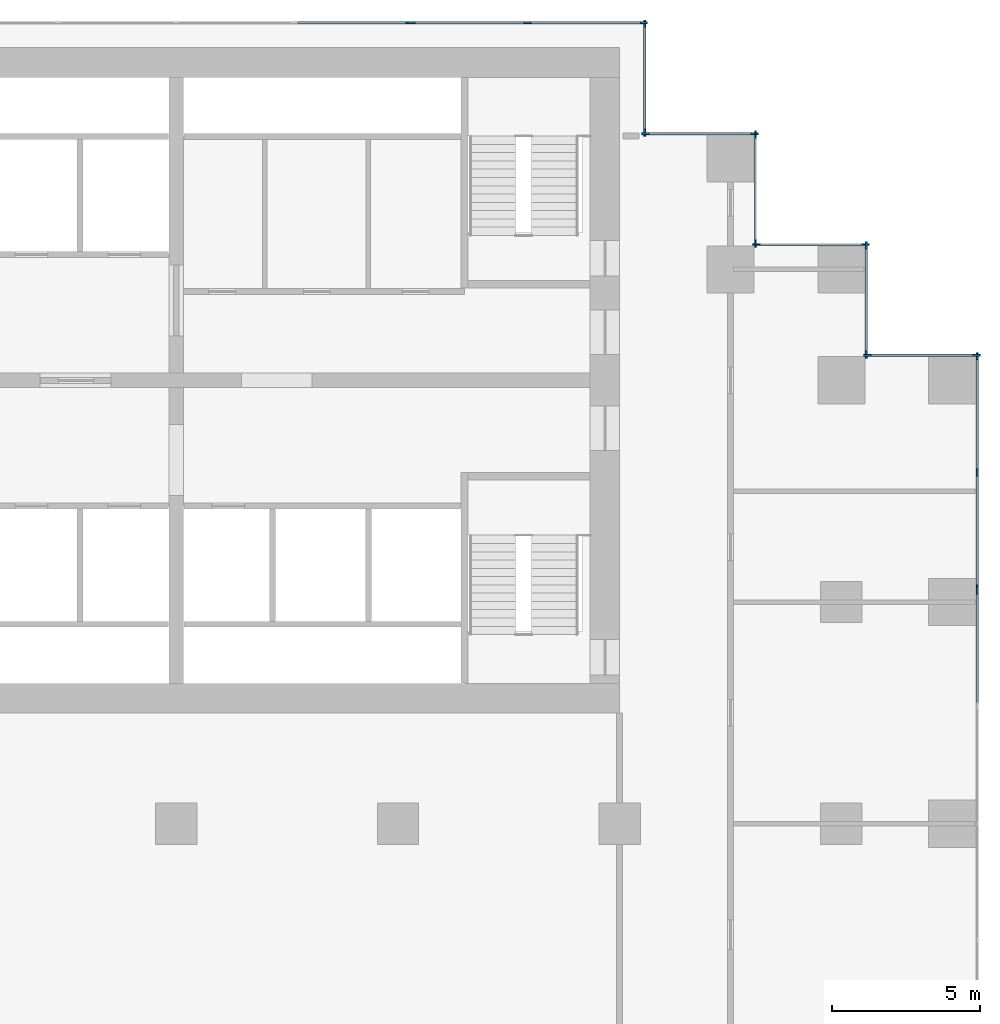
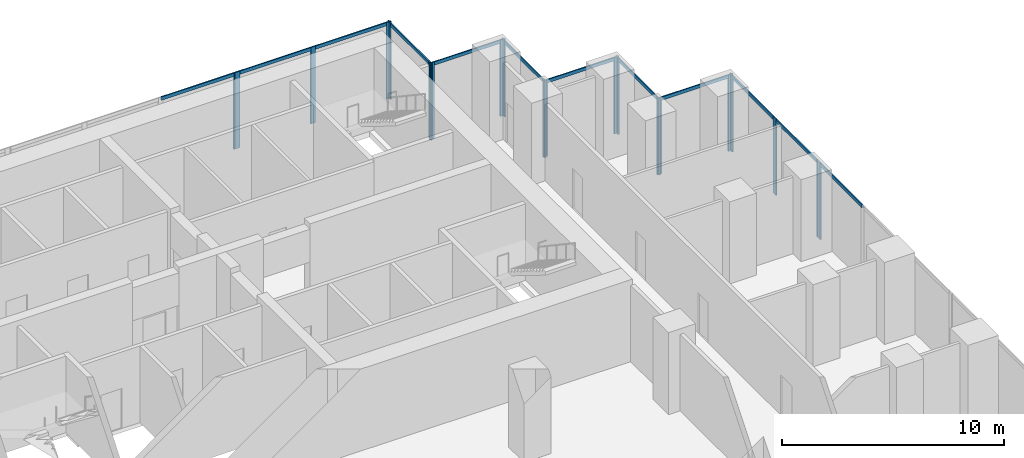
# One storey, part 5 of 10: 32 members, 10 elements without a shape of their own.
"""IFC4 building model written with IfcOpenShell, lengths in metres."""

from ifc_helpers import new_model, si_unit, direction, frame, origin, origin_2d, place, context, subcontext, project, spatial, rectangle, extrude, material, material_profile, profile_set, type_object, element, aggregate, save


model = new_model("IFC4")

# Units and contexts
model_context = context("Model", 3, precision=1e-05, world=origin(), true_north=direction((0.0, 1.0)))
body_context = subcontext(model_context, "Body", "Model", "MODEL_VIEW")
ifc_project = project(units=[si_unit("LENGTHUNIT", "METRE"), si_unit("AREAUNIT", "SQUARE_METRE"), si_unit("VOLUMEUNIT", "CUBIC_METRE"), si_unit("PLANEANGLEUNIT", "RADIAN"), si_unit("MASSUNIT", "GRAM", prefix="KILO")], contexts=[model_context])

# Site, building, storey
site_placement = place(None, origin())
site = spatial("IfcSite", under=ifc_project, at=site_placement, CompositionType="ELEMENT")
building_placement = place(site_placement, origin())
building = spatial("IfcBuilding", under=site, at=building_placement, Name="Pilkhan Gate Tower", CompositionType="ELEMENT")
storey_placement = place(building_placement, frame((0.0, 0.0, 35.0)))
storey = spatial("IfcBuildingStorey", under=building, at=storey_placement, Name="L05", CompositionType="ELEMENT", Elevation=35.0)

# Curtain wall, member
ifc_material_1 = material(Name="Pale anodised aluminium, clear low-iron double glazing", Category="aluminium")
curtain_wall_type = type_object("IfcCurtainWallType", Name="Hotel unitised curtain wall CW-H", PredefinedType="USERDEFINED", material=ifc_material_1)
curtain_wall_1_placement = place(storey_placement, origin())
curtain_wall_1 = element("IfcCurtainWall", 1, at=curtain_wall_1_placement, inside=storey, type_object=curtain_wall_type, Name="Hotel unitised curtain wall CW-H L05 E", ObjectType="UNITISED CURTAIN WALL", PredefinedType="USERDEFINED")
ifc_material_2 = material(Name="Pale anodised aluminium", Category="aluminium")
ifc_material_profile_1 = material_profile(ifc_material_2, rectangle(XDim=0.06494140625, YDim=0.25, at=origin_2d()), Name="Mullion 250x65")
ifc_profile_set_1 = profile_set([ifc_material_profile_1], Name="Pale anodised aluminium")
member_type_1 = type_object("IfcMemberType", Name="Mullion CW-H 250x65", PredefinedType="MULLION", material=ifc_profile_set_1)
member_1_placement = place(storey_placement, frame((102.094970703125, 75.389892578125, 0.0), z_axis=(0.0, 0.0, 1.0), x_axis=(-1.0, 0.0, 0.0)))
member_1 = element("IfcMember", 2, at=member_1_placement, type_object=member_type_1, Name="CW-H mullion 4", PredefinedType="MULLION", context=body_context, shape_type="SweptSolid", body=[
    extrude(rectangle(XDim=0.06494140625, YDim=0.25, at=origin_2d()), origin(), (0.0, 0.0, 1.0), 4.199951171875),
])

# Curtain wall, members
curtain_wall_2_placement = place(storey_placement, origin())
curtain_wall_2 = element("IfcCurtainWall", 3, at=curtain_wall_2_placement, inside=storey, type_object=curtain_wall_type, Name="Hotel unitised curtain wall CW-H L05 E", ObjectType="UNITISED CURTAIN WALL", PredefinedType="USERDEFINED")
member_2_placement = place(storey_placement, frame((102.094970703125, 75.455078125, 0.0), z_axis=(0.0, 0.0, 1.0), x_axis=(-1.0, 0.0, 0.0)))
member_2 = element("IfcMember", 4, at=member_2_placement, type_object=member_type_1, Name="CW-H mullion 1", PredefinedType="MULLION", context=body_context, shape_type="SweptSolid", body=[
    extrude(rectangle(XDim=0.06494140625, YDim=0.25, at=origin_2d()), origin(), (0.0, 0.0, 1.0), 4.199951171875),
])
member_3_placement = place(storey_placement, frame((102.094970703125, 79.3837890625, 0.0), z_axis=(0.0, 0.0, 1.0), x_axis=(-1.0, 0.0, 0.0)))
member_3 = element("IfcMember", 5, at=member_3_placement, type_object=member_type_1, Name="CW-H mullion 2", PredefinedType="MULLION", context=body_context, shape_type="SweptSolid", body=[
    extrude(rectangle(XDim=0.06494140625, YDim=0.25, at=origin_2d()), origin(), (0.0, 0.0, 1.0), 4.199951171875),
])
member_4_placement = place(storey_placement, frame((102.094970703125, 83.3125, 0.0), z_axis=(0.0, 0.0, 1.0), x_axis=(-1.0, 0.0, 0.0)))
member_4 = element("IfcMember", 6, at=member_4_placement, type_object=member_type_1, Name="CW-H mullion 3", PredefinedType="MULLION", context=body_context, shape_type="SweptSolid", body=[
    extrude(rectangle(XDim=0.06494140625, YDim=0.25, at=origin_2d()), origin(), (0.0, 0.0, 1.0), 4.199951171875),
])

curtain_wall_3_placement = place(storey_placement, origin())
curtain_wall_3 = element("IfcCurtainWall", 7, at=curtain_wall_3_placement, inside=storey, type_object=curtain_wall_type, Name="Hotel unitised curtain wall CW-H L05 N", ObjectType="UNITISED CURTAIN WALL", PredefinedType="USERDEFINED")
member_5_placement = place(storey_placement, frame((98.37744140625, 83.344970703125, 0.0), z_axis=(0.0, 0.0, 1.0), x_axis=(0.0, 1.0, 0.0)))
member_5 = element("IfcMember", 8, at=member_5_placement, type_object=member_type_1, Name="CW-H mullion 1", PredefinedType="MULLION", context=body_context, shape_type="SweptSolid", body=[
    extrude(rectangle(XDim=0.06494140625, YDim=0.25, at=origin_2d()), origin(), (0.0, 0.0, 1.0), 4.199951171875),
])
member_6_placement = place(storey_placement, frame((102.0625, 83.344970703125, 0.0), z_axis=(0.0, 0.0, 1.0), x_axis=(0.0, 1.0, 0.0)))
member_6 = element("IfcMember", 9, at=member_6_placement, type_object=member_type_1, Name="CW-H mullion 2", PredefinedType="MULLION", context=body_context, shape_type="SweptSolid", body=[
    extrude(rectangle(XDim=0.06494140625, YDim=0.25, at=origin_2d()), origin(), (0.0, 0.0, 1.0), 4.199951171875),
])

curtain_wall_4_placement = place(storey_placement, origin())
curtain_wall_4 = element("IfcCurtainWall", 10, at=curtain_wall_4_placement, inside=storey, type_object=curtain_wall_type, Name="Hotel unitised curtain wall CW-H L05 E", ObjectType="UNITISED CURTAIN WALL", PredefinedType="USERDEFINED")
member_7_placement = place(storey_placement, frame((98.344970703125, 83.37744140625, 0.0), z_axis=(0.0, 0.0, 1.0), x_axis=(-1.0, 0.0, 0.0)))
member_7 = element("IfcMember", 11, at=member_7_placement, type_object=member_type_1, Name="CW-H mullion 1", PredefinedType="MULLION", context=body_context, shape_type="SweptSolid", body=[
    extrude(rectangle(XDim=0.06494140625, YDim=0.25, at=origin_2d()), origin(), (0.0, 0.0, 1.0), 4.199951171875),
])
member_8_placement = place(storey_placement, frame((98.344970703125, 87.0625, 0.0), z_axis=(0.0, 0.0, 1.0), x_axis=(-1.0, 0.0, 0.0)))
member_8 = element("IfcMember", 12, at=member_8_placement, type_object=member_type_1, Name="CW-H mullion 2", PredefinedType="MULLION", context=body_context, shape_type="SweptSolid", body=[
    extrude(rectangle(XDim=0.06494140625, YDim=0.25, at=origin_2d()), origin(), (0.0, 0.0, 1.0), 4.199951171875),
])

curtain_wall_5_placement = place(storey_placement, origin())
curtain_wall_5 = element("IfcCurtainWall", 13, at=curtain_wall_5_placement, inside=storey, type_object=curtain_wall_type, Name="Hotel unitised curtain wall CW-H L05 N", ObjectType="UNITISED CURTAIN WALL", PredefinedType="USERDEFINED")
member_9_placement = place(storey_placement, frame((94.62744140625, 87.094970703125, 0.0), z_axis=(0.0, 0.0, 1.0), x_axis=(0.0, 1.0, 0.0)))
member_9 = element("IfcMember", 14, at=member_9_placement, type_object=member_type_1, Name="CW-H mullion 1", PredefinedType="MULLION", context=body_context, shape_type="SweptSolid", body=[
    extrude(rectangle(XDim=0.06494140625, YDim=0.25, at=origin_2d()), origin(), (0.0, 0.0, 1.0), 4.199951171875),
])
member_10_placement = place(storey_placement, frame((98.3125, 87.094970703125, 0.0), z_axis=(0.0, 0.0, 1.0), x_axis=(0.0, 1.0, 0.0)))
member_10 = element("IfcMember", 15, at=member_10_placement, type_object=member_type_1, Name="CW-H mullion 2", PredefinedType="MULLION", context=body_context, shape_type="SweptSolid", body=[
    extrude(rectangle(XDim=0.06494140625, YDim=0.25, at=origin_2d()), origin(), (0.0, 0.0, 1.0), 4.199951171875),
])

curtain_wall_6_placement = place(storey_placement, origin())
curtain_wall_6 = element("IfcCurtainWall", 16, at=curtain_wall_6_placement, inside=storey, type_object=curtain_wall_type, Name="Hotel unitised curtain wall CW-H L05 E", ObjectType="UNITISED CURTAIN WALL", PredefinedType="USERDEFINED")
member_11_placement = place(storey_placement, frame((94.594970703125, 87.12744140625, 0.0), z_axis=(0.0, 0.0, 1.0), x_axis=(-1.0, 0.0, 0.0)))
member_11 = element("IfcMember", 17, at=member_11_placement, type_object=member_type_1, Name="CW-H mullion 1", PredefinedType="MULLION", context=body_context, shape_type="SweptSolid", body=[
    extrude(rectangle(XDim=0.06494140625, YDim=0.25, at=origin_2d()), origin(), (0.0, 0.0, 1.0), 4.199951171875),
])
member_12_placement = place(storey_placement, frame((94.594970703125, 90.8125, 0.0), z_axis=(0.0, 0.0, 1.0), x_axis=(-1.0, 0.0, 0.0)))
member_12 = element("IfcMember", 18, at=member_12_placement, type_object=member_type_1, Name="CW-H mullion 2", PredefinedType="MULLION", context=body_context, shape_type="SweptSolid", body=[
    extrude(rectangle(XDim=0.06494140625, YDim=0.25, at=origin_2d()), origin(), (0.0, 0.0, 1.0), 4.199951171875),
])

curtain_wall_7_placement = place(storey_placement, origin())
curtain_wall_7 = element("IfcCurtainWall", 19, at=curtain_wall_7_placement, inside=storey, type_object=curtain_wall_type, Name="Hotel unitised curtain wall CW-H L05 N", ObjectType="UNITISED CURTAIN WALL", PredefinedType="USERDEFINED")
member_13_placement = place(storey_placement, frame((90.87744140625, 90.844970703125, 0.0), z_axis=(0.0, 0.0, 1.0), x_axis=(0.0, 1.0, 0.0)))
member_13 = element("IfcMember", 20, at=member_13_placement, type_object=member_type_1, Name="CW-H mullion 1", PredefinedType="MULLION", context=body_context, shape_type="SweptSolid", body=[
    extrude(rectangle(XDim=0.06494140625, YDim=0.25, at=origin_2d()), origin(), (0.0, 0.0, 1.0), 4.199951171875),
])
member_14_placement = place(storey_placement, frame((94.5625, 90.844970703125, 0.0), z_axis=(0.0, 0.0, 1.0), x_axis=(0.0, 1.0, 0.0)))
member_14 = element("IfcMember", 21, at=member_14_placement, type_object=member_type_1, Name="CW-H mullion 2", PredefinedType="MULLION", context=body_context, shape_type="SweptSolid", body=[
    extrude(rectangle(XDim=0.06494140625, YDim=0.25, at=origin_2d()), origin(), (0.0, 0.0, 1.0), 4.199951171875),
])

curtain_wall_8_placement = place(storey_placement, origin())
curtain_wall_8 = element("IfcCurtainWall", 22, at=curtain_wall_8_placement, inside=storey, type_object=curtain_wall_type, Name="Hotel unitised curtain wall CW-H L05 E", ObjectType="UNITISED CURTAIN WALL", PredefinedType="USERDEFINED")
member_15_placement = place(storey_placement, frame((90.844970703125, 90.87744140625, 0.0), z_axis=(0.0, 0.0, 1.0), x_axis=(-1.0, 0.0, 0.0)))
member_15 = element("IfcMember", 23, at=member_15_placement, type_object=member_type_1, Name="CW-H mullion 1", PredefinedType="MULLION", context=body_context, shape_type="SweptSolid", body=[
    extrude(rectangle(XDim=0.06494140625, YDim=0.25, at=origin_2d()), origin(), (0.0, 0.0, 1.0), 4.199951171875),
])
member_16_placement = place(storey_placement, frame((90.844970703125, 94.5625, 0.0), z_axis=(0.0, 0.0, 1.0), x_axis=(-1.0, 0.0, 0.0)))
member_16 = element("IfcMember", 24, at=member_16_placement, type_object=member_type_1, Name="CW-H mullion 2", PredefinedType="MULLION", context=body_context, shape_type="SweptSolid", body=[
    extrude(rectangle(XDim=0.06494140625, YDim=0.25, at=origin_2d()), origin(), (0.0, 0.0, 1.0), 4.199951171875),
])

# Curtain wall, member
curtain_wall_9_placement = place(storey_placement, origin())
curtain_wall_9 = element("IfcCurtainWall", 25, at=curtain_wall_9_placement, inside=storey, type_object=curtain_wall_type, Name="Hotel unitised curtain wall CW-H L05 N", ObjectType="UNITISED CURTAIN WALL", PredefinedType="USERDEFINED")
member_17_placement = place(storey_placement, frame((82.889892578125, 94.594970703125, 0.0), z_axis=(0.0, 0.0, 1.0), x_axis=(0.0, 1.0, 0.0)))
member_17 = element("IfcMember", 26, at=member_17_placement, type_object=member_type_1, Name="CW-H mullion 4", PredefinedType="MULLION", context=body_context, shape_type="SweptSolid", body=[
    extrude(rectangle(XDim=0.06494140625, YDim=0.25, at=origin_2d()), origin(), (0.0, 0.0, 1.0), 4.199951171875),
])

# Curtain wall, members
curtain_wall_10_placement = place(storey_placement, origin())
curtain_wall_10 = element("IfcCurtainWall", 27, at=curtain_wall_10_placement, inside=storey, type_object=curtain_wall_type, Name="Hotel unitised curtain wall CW-H L05 N", ObjectType="UNITISED CURTAIN WALL", PredefinedType="USERDEFINED")
member_18_placement = place(storey_placement, frame((82.955078125, 94.594970703125, 0.0), z_axis=(0.0, 0.0, 1.0), x_axis=(0.0, 1.0, 0.0)))
member_18 = element("IfcMember", 28, at=member_18_placement, type_object=member_type_1, Name="CW-H mullion 1", PredefinedType="MULLION", context=body_context, shape_type="SweptSolid", body=[
    extrude(rectangle(XDim=0.06494140625, YDim=0.25, at=origin_2d()), origin(), (0.0, 0.0, 1.0), 4.199951171875),
])
member_19_placement = place(storey_placement, frame((86.8837890625, 94.594970703125, 0.0), z_axis=(0.0, 0.0, 1.0), x_axis=(0.0, 1.0, 0.0)))
member_19 = element("IfcMember", 29, at=member_19_placement, type_object=member_type_1, Name="CW-H mullion 2", PredefinedType="MULLION", context=body_context, shape_type="SweptSolid", body=[
    extrude(rectangle(XDim=0.06494140625, YDim=0.25, at=origin_2d()), origin(), (0.0, 0.0, 1.0), 4.199951171875),
])
member_20_placement = place(storey_placement, frame((90.8125, 94.594970703125, 0.0), z_axis=(0.0, 0.0, 1.0), x_axis=(0.0, 1.0, 0.0)))
member_20 = element("IfcMember", 30, at=member_20_placement, type_object=member_type_1, Name="CW-H mullion 3", PredefinedType="MULLION", context=body_context, shape_type="SweptSolid", body=[
    extrude(rectangle(XDim=0.06494140625, YDim=0.25, at=origin_2d()), origin(), (0.0, 0.0, 1.0), 4.199951171875),
])

# Member
ifc_material_profile_2 = material_profile(ifc_material_2, rectangle(XDim=0.06494140625, YDim=0.179931640625, at=origin_2d()), Name="Transom 180x65")
ifc_profile_set_2 = profile_set([ifc_material_profile_2], Name="Pale anodised aluminium")
member_type_2 = type_object("IfcMemberType", Name="Transom CW-H 180x65", PredefinedType="USERDEFINED", material=ifc_profile_set_2)
member_21_placement = place(storey_placement, frame((102.094970703125, 71.49365234375, 4.110107421875), z_axis=(0.0, 1.0, 0.0), x_axis=(-1.0, 0.0, 0.0)))
member_21 = element("IfcMember", 31, at=member_21_placement, type_object=member_type_2, Name="CW-H transom 3", ObjectType="TRANSOM", PredefinedType="USERDEFINED", context=body_context, shape_type="SweptSolid", body=[
    extrude(rectangle(XDim=0.06494140625, YDim=0.179931640625, at=origin_2d()), origin(), (0.0, 0.0, 1.0), 3.86376953125),
])

aggregate(curtain_wall_1, [member_1, member_21])

member_22_placement = place(storey_placement, frame((102.094970703125, 75.487548828125, 4.110107421875), z_axis=(0.0, 1.0, 0.0), x_axis=(-1.0, 0.0, 0.0)))
member_22 = element("IfcMember", 32, at=member_22_placement, type_object=member_type_2, Name="CW-H transom 1", ObjectType="TRANSOM", PredefinedType="USERDEFINED", context=body_context, shape_type="SweptSolid", body=[
    extrude(rectangle(XDim=0.06494140625, YDim=0.179931640625, at=origin_2d()), origin(), (0.0, 0.0, 1.0), 3.86376953125),
])

member_23_placement = place(storey_placement, frame((102.094970703125, 79.416259765625, 4.110107421875), z_axis=(0.0, 1.0, 0.0), x_axis=(-1.0, 0.0, 0.0)))
member_23 = element("IfcMember", 33, at=member_23_placement, type_object=member_type_2, Name="CW-H transom 2", ObjectType="TRANSOM", PredefinedType="USERDEFINED", context=body_context, shape_type="SweptSolid", body=[
    extrude(rectangle(XDim=0.06494140625, YDim=0.179931640625, at=origin_2d()), origin(), (0.0, 0.0, 1.0), 3.86376953125),
])

aggregate(curtain_wall_2, [member_2, member_3, member_4, member_22, member_23])

member_24_placement = place(storey_placement, frame((98.409912109375, 83.344970703125, 4.110107421875), z_axis=(1.0, 0.0, 0.0), x_axis=(0.0, 1.0, 0.0)))
member_24 = element("IfcMember", 34, at=member_24_placement, type_object=member_type_2, Name="CW-H transom 1", ObjectType="TRANSOM", PredefinedType="USERDEFINED", context=body_context, shape_type="SweptSolid", body=[
    extrude(rectangle(XDim=0.06494140625, YDim=0.179931640625, at=origin_2d()), origin(), (0.0, 0.0, 1.0), 3.6201171875),
])

aggregate(curtain_wall_3, [member_5, member_6, member_24])

member_25_placement = place(storey_placement, frame((98.344970703125, 83.409912109375, 4.110107421875), z_axis=(0.0, 1.0, 0.0), x_axis=(-1.0, 0.0, 0.0)))
member_25 = element("IfcMember", 35, at=member_25_placement, type_object=member_type_2, Name="CW-H transom 1", ObjectType="TRANSOM", PredefinedType="USERDEFINED", context=body_context, shape_type="SweptSolid", body=[
    extrude(rectangle(XDim=0.06494140625, YDim=0.179931640625, at=origin_2d()), origin(), (0.0, 0.0, 1.0), 3.6201171875),
])

aggregate(curtain_wall_4, [member_7, member_8, member_25])

member_26_placement = place(storey_placement, frame((94.659912109375, 87.094970703125, 4.110107421875), z_axis=(1.0, 0.0, 0.0), x_axis=(0.0, 1.0, 0.0)))
member_26 = element("IfcMember", 36, at=member_26_placement, type_object=member_type_2, Name="CW-H transom 1", ObjectType="TRANSOM", PredefinedType="USERDEFINED", context=body_context, shape_type="SweptSolid", body=[
    extrude(rectangle(XDim=0.06494140625, YDim=0.179931640625, at=origin_2d()), origin(), (0.0, 0.0, 1.0), 3.6201171875),
])

aggregate(curtain_wall_5, [member_9, member_10, member_26])

member_27_placement = place(storey_placement, frame((94.594970703125, 87.159912109375, 4.110107421875), z_axis=(0.0, 1.0, 0.0), x_axis=(-1.0, 0.0, 0.0)))
member_27 = element("IfcMember", 37, at=member_27_placement, type_object=member_type_2, Name="CW-H transom 1", ObjectType="TRANSOM", PredefinedType="USERDEFINED", context=body_context, shape_type="SweptSolid", body=[
    extrude(rectangle(XDim=0.06494140625, YDim=0.179931640625, at=origin_2d()), origin(), (0.0, 0.0, 1.0), 3.6201171875),
])

aggregate(curtain_wall_6, [member_11, member_12, member_27])

member_28_placement = place(storey_placement, frame((90.909912109375, 90.844970703125, 4.110107421875), z_axis=(1.0, 0.0, 0.0), x_axis=(0.0, 1.0, 0.0)))
member_28 = element("IfcMember", 38, at=member_28_placement, type_object=member_type_2, Name="CW-H transom 1", ObjectType="TRANSOM", PredefinedType="USERDEFINED", context=body_context, shape_type="SweptSolid", body=[
    extrude(rectangle(XDim=0.06494140625, YDim=0.179931640625, at=origin_2d()), origin(), (0.0, 0.0, 1.0), 3.6201171875),
])

aggregate(curtain_wall_7, [member_13, member_14, member_28])

member_29_placement = place(storey_placement, frame((90.844970703125, 90.909912109375, 4.110107421875), z_axis=(0.0, 1.0, 0.0), x_axis=(-1.0, 0.0, 0.0)))
member_29 = element("IfcMember", 39, at=member_29_placement, type_object=member_type_2, Name="CW-H transom 1", ObjectType="TRANSOM", PredefinedType="USERDEFINED", context=body_context, shape_type="SweptSolid", body=[
    extrude(rectangle(XDim=0.06494140625, YDim=0.179931640625, at=origin_2d()), origin(), (0.0, 0.0, 1.0), 3.6201171875),
])

aggregate(curtain_wall_8, [member_15, member_16, member_29])

member_30_placement = place(storey_placement, frame((78.99365234375, 94.594970703125, 4.110107421875), z_axis=(1.0, 0.0, 0.0), x_axis=(0.0, 1.0, 0.0)))
member_30 = element("IfcMember", 40, at=member_30_placement, type_object=member_type_2, Name="CW-H transom 3", ObjectType="TRANSOM", PredefinedType="USERDEFINED", context=body_context, shape_type="SweptSolid", body=[
    extrude(rectangle(XDim=0.06494140625, YDim=0.179931640625, at=origin_2d()), origin(), (0.0, 0.0, 1.0), 3.86376953125),
])

aggregate(curtain_wall_9, [member_17, member_30])

member_31_placement = place(storey_placement, frame((82.987548828125, 94.594970703125, 4.110107421875), z_axis=(1.0, 0.0, 0.0), x_axis=(0.0, 1.0, 0.0)))
member_31 = element("IfcMember", 41, at=member_31_placement, type_object=member_type_2, Name="CW-H transom 1", ObjectType="TRANSOM", PredefinedType="USERDEFINED", context=body_context, shape_type="SweptSolid", body=[
    extrude(rectangle(XDim=0.06494140625, YDim=0.179931640625, at=origin_2d()), origin(), (0.0, 0.0, 1.0), 3.86376953125),
])

member_32_placement = place(storey_placement, frame((86.916259765625, 94.594970703125, 4.110107421875), z_axis=(1.0, 0.0, 0.0), x_axis=(0.0, 1.0, 0.0)))
member_32 = element("IfcMember", 42, at=member_32_placement, type_object=member_type_2, Name="CW-H transom 2", ObjectType="TRANSOM", PredefinedType="USERDEFINED", context=body_context, shape_type="SweptSolid", body=[
    extrude(rectangle(XDim=0.06494140625, YDim=0.179931640625, at=origin_2d()), origin(), (0.0, 0.0, 1.0), 3.86376953125),
])

aggregate(curtain_wall_10, [member_18, member_19, member_20, member_31, member_32])

save(model, "model.ifc")
